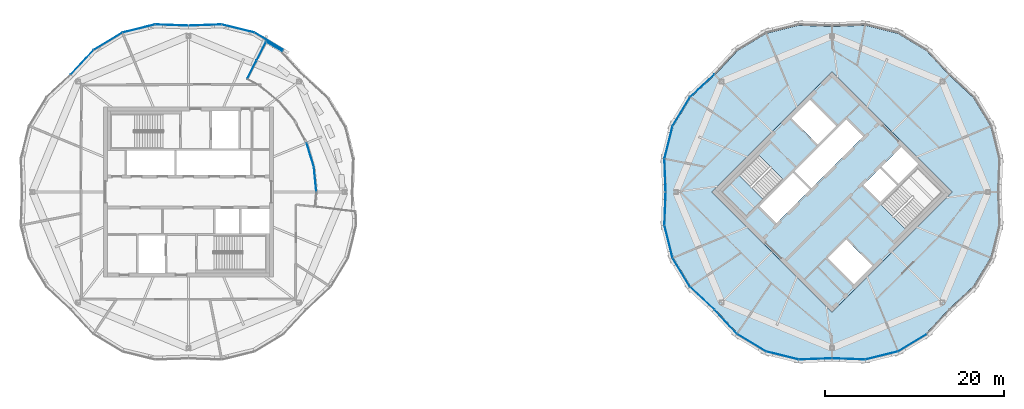
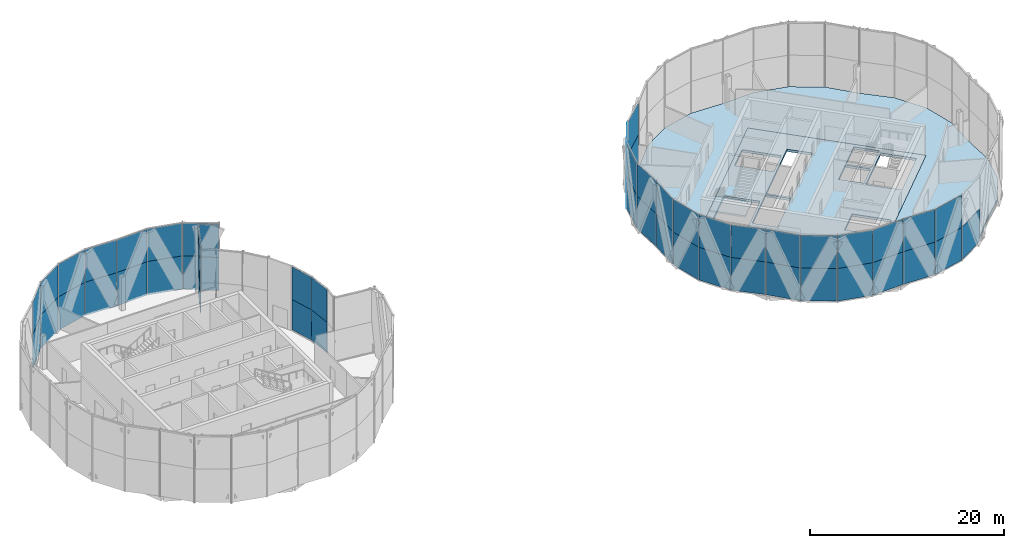
# One storey, part 14 of 24: 53 plates, 3 slabs, 10 elements without a shape of their own.
"""IFC4 building model written with IfcOpenShell, lengths in metres."""

from ifc_helpers import new_model, si_unit, direction, frame, origin, origin_2d, place, context, subcontext, project, spatial, polyline, rectangle, outline, extrude, material, layer, layer_set, type_object, element, aggregate, save


model = new_model("IFC4")

# Units and contexts
model_context = context("Model", 3, precision=1e-05, world=origin(), true_north=direction((0.0, 1.0)))
body_context = subcontext(model_context, "Body", "Model", "MODEL_VIEW")
ifc_project = project(units=[si_unit("LENGTHUNIT", "METRE"), si_unit("AREAUNIT", "SQUARE_METRE"), si_unit("VOLUMEUNIT", "CUBIC_METRE"), si_unit("PLANEANGLEUNIT", "RADIAN"), si_unit("MASSUNIT", "GRAM", prefix="KILO")], contexts=[model_context])

# Site, building, storey
site_placement = place(None, origin())
site = spatial("IfcSite", under=ifc_project, at=site_placement, CompositionType="ELEMENT")
building_placement = place(site_placement, origin())
building = spatial("IfcBuilding", under=site, at=building_placement, Name="Ogive Gate Towers", CompositionType="ELEMENT")
storey_placement = place(building_placement, frame((0.0, 0.0, 277.199951171875)))
storey = spatial("IfcBuildingStorey", under=building, at=storey_placement, Name="L65", CompositionType="ELEMENT", Elevation=277.199951171875)

# Slabs
ifc_material_1 = material(Name="Concrete C40/50", Category="concrete")
ifc_layer_1 = layer(ifc_material_1, 0.300048828125)
ifc_layer_set_1 = layer_set([ifc_layer_1], Name="Core slab C40/50 300 mm")
slab_type_1 = type_object("IfcSlabType", Name="Core slab C40/50 300 mm", PredefinedType="FLOOR", material=ifc_layer_set_1)
slab_1_placement = place(storey_placement, frame((0.0, 0.0, -0.300048828125)))
element("IfcSlab", 1, at=slab_1_placement, inside=storey, type_object=slab_type_1, Name="T2 L65 core slab", PredefinedType="FLOOR", context=body_context, shape_type="SweptSolid", body=[
    extrude(outline(polyline([(36.0, -13.43505859375), (22.56494140625, 0.0), (36.0, 13.43505859375), (49.43505859375, 0.0), (36.0, -13.43505859375)]), holes=[polyline([(29.777587890625, -3.500244140625), (33.525146484375, 0.24755859375), (31.615966796875, 2.15673828125), (27.868408203125, -1.591064453125), (29.777587890625, -3.500244140625)]), polyline([(31.792724609375, 2.33349609375), (33.701904296875, 0.42431640625), (39.500244140625, 6.222412109375), (37.591064453125, 8.131591796875), (31.792724609375, 2.33349609375)]), polyline([(41.3740234375, 2.651611328125), (39.500244140625, 0.77783203125), (41.409423828125, -1.13134765625), (43.283203125, 0.742431640625), (41.3740234375, 2.651611328125)]), polyline([(45.669677734375, 3.12890625), (43.760498046875, 5.0380859375), (41.55078125, 2.828369140625), (43.4599609375, 0.919189453125), (45.669677734375, 3.12890625)]), polyline([(34.408935546875, 5.30322265625), (36.4951171875, 7.389404296875), (33.542724609375, 10.34130859375), (31.456787109375, 8.255615234375), (34.408935546875, 5.30322265625)]), polyline([(35.5048828125, -7.389404296875), (38.457275390625, -10.34130859375), (40.543212890625, -8.255615234375), (37.591064453125, -5.30322265625), (35.5048828125, -7.389404296875)]), polyline([(26.40087890625, -2.70458984375), (30.512939453125, 1.406982421875), (27.80810546875, 4.11181640625), (23.6962890625, 0.0), (26.40087890625, -2.70458984375)]), polyline([(48.3037109375, 0.0), (45.59912109375, 2.70458984375), (41.487060546875, -1.406982421875), (44.19189453125, -4.11181640625), (48.3037109375, 0.0)])]), origin(), (0.0, 0.0, 1.0), 0.300048828125),
])
ifc_material_2 = material(Name="Concrete C35/45", Category="concrete")
ifc_layer_2 = layer(ifc_material_2, 0.300048828125)
ifc_layer_set_2 = layer_set([ifc_layer_2], Name="Floor slab 300")
slab_type_2 = type_object("IfcSlabType", Name="Floor slab 300", PredefinedType="FLOOR", material=ifc_layer_set_2)
slab_2_placement = place(storey_placement, frame((0.0, 0.0, -0.300048828125)))
element("IfcSlab", 2, at=slab_2_placement, inside=storey, type_object=slab_type_2, Name="T2/L65/SSL001", PredefinedType="FLOOR", context=body_context, shape_type="SweptSolid", body=[
    extrude(outline(polyline([(54.644775390625, -3.708740234375), (54.510009765625, 0.0), (54.644775390625, 3.708740234375), (53.747802734375, 7.351318359375), (51.80615234375, 10.561279296875), (49.088623046875, 13.088623046875), (46.561279296875, 15.80615234375), (43.351318359375, 17.747802734375), (39.708740234375, 18.644775390625), (36.0, 18.510009765625), (32.291259765625, 18.644775390625), (28.648681640625, 17.747802734375), (25.438720703125, 15.80615234375), (22.911376953125, 13.088623046875), (20.19384765625, 10.561279296875), (18.252197265625, 7.351318359375), (17.355224609375, 3.708740234375), (17.489990234375, 0.0), (17.355224609375, -3.708740234375), (18.252197265625, -7.351318359375), (20.19384765625, -10.561279296875), (22.911376953125, -13.088623046875), (25.438720703125, -15.80615234375), (28.648681640625, -17.747802734375), (32.291259765625, -18.644775390625), (36.0, -18.510009765625), (39.708740234375, -18.644775390625), (43.351318359375, -17.747802734375), (46.561279296875, -15.80615234375), (49.088623046875, -13.088623046875), (51.80615234375, -10.561279296875), (53.747802734375, -7.351318359375), (54.644775390625, -3.708740234375)]), holes=[polyline([(49.43505859375, 0.0), (36.0, -13.43505859375), (22.56494140625, 0.0), (36.0, 13.43505859375), (49.43505859375, 0.0)])]), origin(), (0.0, 0.0, 1.0), 0.300048828125),
])

# Curtain wall, plates
ifc_material_3 = material(Name="Pale metal aluminium", Category="aluminium")
curtain_wall_type_1 = type_object("IfcCurtainWallType", Name="Sky garden glazing", PredefinedType="NOTDEFINED", material=ifc_material_3)
curtain_wall_1_placement = place(storey_placement, origin())
curtain_wall_1 = element("IfcCurtainWall", 3, at=curtain_wall_1_placement, inside=storey, type_object=curtain_wall_type_1, Name="CW4 T1 ECW01b", PredefinedType="NOTDEFINED")
ifc_material_4 = material(Name="Clear glass", Category="glass")
ifc_layer_3 = layer(ifc_material_4, 0.028076171875)
ifc_layer_set_3 = layer_set([ifc_layer_3], Name="Sky garden glazing glass panel")
plate_type_1 = type_object("IfcPlateType", Name="Sky garden glazing glass panel", PredefinedType="CURTAIN_PANEL", material=ifc_layer_set_3)
plate_1_placement = place(storey_placement, frame((-22.3720703125, 4.1357421875, 0.09619140625), z_axis=(0.0, 0.0, 1.0), x_axis=(0.290267975451, -0.95694540201, 0.0)))
plate_1 = element("IfcPlate", 4, at=plate_1_placement, type_object=plate_type_1, Name="CW4 glass panel", PredefinedType="CURTAIN_PANEL", context=body_context, shape_type="SweptSolid", body=[
    extrude(rectangle(XDim=2.758056640625, YDim=0.028076171875, at=origin_2d()), origin(), (0.0, 0.0, 1.0), 3.803955078125),
])
plate_2_placement = place(storey_placement, frame((-22.3720703125, 4.1357421875, 3.900146484375), z_axis=(0.0, 0.0, 1.0), x_axis=(0.290267975451, -0.95694540201, 0.0)))
plate_2 = element("IfcPlate", 5, at=plate_2_placement, type_object=plate_type_1, Name="CW4 glass panel", PredefinedType="CURTAIN_PANEL", context=body_context, shape_type="SweptSolid", body=[
    extrude(rectangle(XDim=2.758056640625, YDim=0.028076171875, at=origin_2d()), origin(), (0.0, 0.0, 1.0), 4.10400390625),
])
plate_3_placement = place(storey_placement, frame((-21.826904296875, 1.394287109375, 0.09619140625), z_axis=(0.0, 0.0, 1.0), x_axis=(0.098034509565, -0.995183015799, 0.0)))
plate_3 = element("IfcPlate", 6, at=plate_3_placement, type_object=plate_type_1, Name="CW4 glass panel", PredefinedType="CURTAIN_PANEL", context=body_context, shape_type="SweptSolid", body=[
    extrude(rectangle(XDim=2.7578125, YDim=0.028076171875, at=origin_2d()), origin(), (0.0, 0.0, 1.0), 3.803955078125),
])
plate_4_placement = place(storey_placement, frame((-21.826904296875, 1.394287109375, 3.900146484375), z_axis=(0.0, 0.0, 1.0), x_axis=(0.098034509565, -0.995183015799, 0.0)))
plate_4 = element("IfcPlate", 7, at=plate_4_placement, type_object=plate_type_1, Name="CW4 glass panel", PredefinedType="CURTAIN_PANEL", context=body_context, shape_type="SweptSolid", body=[
    extrude(rectangle(XDim=2.7578125, YDim=0.028076171875, at=origin_2d()), origin(), (0.0, 0.0, 1.0), 4.10400390625),
])
aggregate(curtain_wall_1, [plate_1, plate_2, plate_3, plate_4])

curtain_wall_2_placement = place(storey_placement, origin())
curtain_wall_2 = element("IfcCurtainWall", 8, at=curtain_wall_2_placement, inside=storey, type_object=curtain_wall_type_1, Name="CW4 T1 ECW02", PredefinedType="NOTDEFINED")
plate_5_placement = place(storey_placement, frame((-28.908935546875, 13.696533203125, 0.09619140625), z_axis=(0.0, 0.0, 1.0), x_axis=(-0.453974948673, -0.891014447682, 0.0)))
plate_5 = element("IfcPlate", 9, at=plate_5_placement, type_object=plate_type_1, Name="CW4 glass panel", PredefinedType="CURTAIN_PANEL", context=body_context, shape_type="SweptSolid", body=[
    extrude(rectangle(XDim=2.285888671875, YDim=0.028076171875, at=origin_2d()), origin(), (0.0, 0.0, 1.0), 3.803955078125),
])
plate_6_placement = place(storey_placement, frame((-28.908935546875, 13.696533203125, 3.900146484375), z_axis=(0.0, 0.0, 1.0), x_axis=(-0.453974948673, -0.891014447682, 0.0)))
plate_6 = element("IfcPlate", 10, at=plate_6_placement, type_object=plate_type_1, Name="CW4 glass panel", PredefinedType="CURTAIN_PANEL", context=body_context, shape_type="SweptSolid", body=[
    extrude(rectangle(XDim=2.285888671875, YDim=0.028076171875, at=origin_2d()), origin(), (0.0, 0.0, 1.0), 4.10400390625),
])
aggregate(curtain_wall_2, [plate_5, plate_6])

# Stair, slab
stair_type = type_object("IfcStairType", Name="Escape stair 1840 wide", PredefinedType="HALF_TURN_STAIR", material=ifc_material_1)
stair_placement = place(storey_placement, origin())
stair = element("IfcStair", 11, at=stair_placement, inside=storey, type_object=stair_type, Name="L65 Escape stair 1", PredefinedType="HALF_TURN_STAIR")
ifc_layer_4 = layer(ifc_material_1, 0.199951171875)
ifc_layer_set_4 = layer_set([ifc_layer_4], Name="Stair landing 200 mm")
slab_type_3 = type_object("IfcSlabType", Name="Stair landing 200 mm", PredefinedType="LANDING", material=ifc_layer_set_4)
slab_3_placement = place(storey_placement, frame((0.0, 0.0, 1.900146484375)))
slab_3 = element("IfcSlab", 12, at=slab_3_placement, type_object=slab_type_3, Name="ST1 landing 1", PredefinedType="LANDING", context=body_context, shape_type="SweptSolid", body=[
    extrude(outline(polyline([(25.586181640625, 1.8896484375), (23.6962890625, 0.0), (26.401123046875, -2.70458984375), (28.290771484375, -0.81494140625), (25.586181640625, 1.8896484375)])), origin(), (0.0, 0.0, 1.0), 0.199951171875),
])
aggregate(stair, [slab_3])

# Curtain wall, plates
curtain_wall_type_2 = type_object("IfcCurtainWallType", Name="Tower unitised wall, high zone", PredefinedType="NOTDEFINED", material=ifc_material_3)
curtain_wall_3_placement = place(storey_placement, origin())
curtain_wall_3 = element("IfcCurtainWall", 13, at=curtain_wall_3_placement, inside=storey, type_object=curtain_wall_type_2, Name="CW2 T1 ECW04", PredefinedType="NOTDEFINED")
ifc_layer_5 = layer(ifc_material_4, 0.028076171875)
ifc_layer_set_5 = layer_set([ifc_layer_5], Name="Tower unitised wall, high zone glass panel")
plate_type_2 = type_object("IfcPlateType", Name="Tower unitised wall, high zone glass panel", PredefinedType="CURTAIN_PANEL", material=ifc_layer_set_5)
plate_7_placement = place(storey_placement, frame((-34.142578125, 18.677490234375, -0.2998046875), z_axis=(0.0, 0.0, 1.0), x_axis=(0.999341123963, 0.036294875066, 0.0)))
plate_7 = element("IfcPlate", 14, at=plate_7_placement, type_object=plate_type_2, Name="CW2 glass panel", PredefinedType="CURTAIN_PANEL", context=body_context, shape_type="SweptSolid", body=[
    extrude(rectangle(XDim=3.66357421875, YDim=0.028076171875, at=origin_2d()), origin(), (0.0, 0.0, 1.0), 4.199951171875),
])
plate_8_placement = place(storey_placement, frame((-34.142578125, 18.677490234375, 3.900146484375), z_axis=(0.0, 0.0, 1.0), x_axis=(0.999341123963, 0.036294875066, 0.0)))
plate_8 = element("IfcPlate", 15, at=plate_8_placement, type_object=plate_type_2, Name="CW2 glass panel", PredefinedType="CURTAIN_PANEL", context=body_context, shape_type="SweptSolid", body=[
    extrude(rectangle(XDim=3.66357421875, YDim=0.028076171875, at=origin_2d()), origin(), (0.0, 0.0, 1.0), 4.10400390625),
])
plate_9_placement = place(storey_placement, frame((-30.445556640625, 18.293212890625, -0.2998046875), z_axis=(0.0, 0.0, 1.0), x_axis=(0.970992560328, -0.239109698229, 0.0)))
plate_9 = element("IfcPlate", 16, at=plate_9_placement, type_object=plate_type_2, Name="CW2 glass panel", PredefinedType="CURTAIN_PANEL", context=body_context, shape_type="SweptSolid", body=[
    extrude(rectangle(XDim=3.71875, YDim=0.028076171875, at=origin_2d()), origin(), (0.0, 0.0, 1.0), 4.199951171875),
])
plate_10_placement = place(storey_placement, frame((-30.445556640625, 18.293212890625, 3.900146484375), z_axis=(0.0, 0.0, 1.0), x_axis=(0.970992560328, -0.239109698229, 0.0)))
plate_10 = element("IfcPlate", 17, at=plate_10_placement, type_object=plate_type_2, Name="CW2 glass panel", PredefinedType="CURTAIN_PANEL", context=body_context, shape_type="SweptSolid", body=[
    extrude(rectangle(XDim=3.71875, YDim=0.028076171875, at=origin_2d()), origin(), (0.0, 0.0, 1.0), 4.10400390625),
])
plate_11_placement = place(storey_placement, frame((-26.99658203125, 16.865478515625, -0.2998046875), z_axis=(0.0, 0.0, 1.0), x_axis=(0.855662480408, -0.517534269031, 0.0)))
plate_11 = element("IfcPlate", 18, at=plate_11_placement, type_object=plate_type_2, Name="CW2 glass panel", PredefinedType="CURTAIN_PANEL", context=body_context, shape_type="SweptSolid", body=[
    extrude(rectangle(XDim=3.70849609375, YDim=0.028076171875, at=origin_2d()), origin(), (0.0, 0.0, 1.0), 4.199951171875),
])
plate_12_placement = place(storey_placement, frame((-26.99658203125, 16.865478515625, 3.900146484375), z_axis=(0.0, 0.0, 1.0), x_axis=(0.855662480408, -0.517534269031, 0.0)))
plate_12 = element("IfcPlate", 19, at=plate_12_placement, type_object=plate_type_2, Name="CW2 glass panel", PredefinedType="CURTAIN_PANEL", context=body_context, shape_type="SweptSolid", body=[
    extrude(rectangle(XDim=3.70849609375, YDim=0.028076171875, at=origin_2d()), origin(), (0.0, 0.0, 1.0), 4.10400390625),
])
aggregate(curtain_wall_3, [plate_7, plate_8, plate_9, plate_10, plate_11, plate_12])

curtain_wall_4_placement = place(storey_placement, origin())
curtain_wall_4 = element("IfcCurtainWall", 20, at=curtain_wall_4_placement, inside=storey, type_object=curtain_wall_type_2, Name="CW2 T1 ECW04b", PredefinedType="NOTDEFINED")
plate_13_placement = place(storey_placement, frame((-26.3955078125, 16.26806640625, -0.2998046875), z_axis=(0.0, 0.0, 1.0), x_axis=(-0.855671512955, 0.517519334825, 0.0)))
plate_13 = element("IfcPlate", 21, at=plate_13_placement, type_object=plate_type_2, Name="CW2 glass panel", PredefinedType="CURTAIN_PANEL", context=body_context, shape_type="SweptSolid", body=[
    extrude(rectangle(XDim=2.0615234375, YDim=0.028076171875, at=origin_2d()), origin(), (0.0, 0.0, 1.0), 4.199951171875),
])
plate_14_placement = place(storey_placement, frame((-26.3955078125, 16.26806640625, 3.900146484375), z_axis=(0.0, 0.0, 1.0), x_axis=(-0.855671512955, 0.517519334825, 0.0)))
plate_14 = element("IfcPlate", 22, at=plate_14_placement, type_object=plate_type_2, Name="CW2 glass panel", PredefinedType="CURTAIN_PANEL", context=body_context, shape_type="SweptSolid", body=[
    extrude(rectangle(XDim=2.0615234375, YDim=0.028076171875, at=origin_2d()), origin(), (0.0, 0.0, 1.0), 4.10400390625),
])
plate_15_placement = place(storey_placement, frame((-27.8515625, 15.77197265625, -0.2998046875), z_axis=(0.0, 0.0, 1.0), x_axis=(-0.454006050668, -0.890998600424, 0.0)))
plate_15 = element("IfcPlate", 23, at=plate_15_placement, type_object=plate_type_2, Name="CW2 glass panel", PredefinedType="CURTAIN_PANEL", context=body_context, shape_type="SweptSolid", body=[
    extrude(rectangle(XDim=2.2744140625, YDim=0.028076171875, at=origin_2d()), origin(), (0.0, 0.0, 1.0), 4.199951171875),
])
plate_16_placement = place(storey_placement, frame((-27.8515625, 15.77197265625, 3.900146484375), z_axis=(0.0, 0.0, 1.0), x_axis=(-0.454006050668, -0.890998600424, 0.0)))
plate_16 = element("IfcPlate", 24, at=plate_16_placement, type_object=plate_type_2, Name="CW2 glass panel", PredefinedType="CURTAIN_PANEL", context=body_context, shape_type="SweptSolid", body=[
    extrude(rectangle(XDim=2.2744140625, YDim=0.028076171875, at=origin_2d()), origin(), (0.0, 0.0, 1.0), 4.10400390625),
])
aggregate(curtain_wall_4, [plate_13, plate_14, plate_15, plate_16])

curtain_wall_5_placement = place(storey_placement, origin())
curtain_wall_5 = element("IfcCurtainWall", 25, at=curtain_wall_5_placement, inside=storey, type_object=curtain_wall_type_2, Name="CW2 T1 ECW05", PredefinedType="NOTDEFINED")
plate_17_placement = place(storey_placement, frame((-47.8935546875, 14.5205078125, -0.2998046875), z_axis=(0.0, 0.0, 1.0), x_axis=(0.680963751951, 0.732317122925, 0.0)))
plate_17 = element("IfcPlate", 26, at=plate_17_placement, type_object=plate_type_2, Name="CW2 glass panel", PredefinedType="CURTAIN_PANEL", context=body_context, shape_type="SweptSolid", body=[
    extrude(rectangle(XDim=3.66357421875, YDim=0.028076171875, at=origin_2d()), origin(), (0.0, 0.0, 1.0), 4.199951171875),
])
plate_18_placement = place(storey_placement, frame((-47.8935546875, 14.5205078125, 3.900146484375), z_axis=(0.0, 0.0, 1.0), x_axis=(0.680963751951, 0.732317122925, 0.0)))
plate_18 = element("IfcPlate", 27, at=plate_18_placement, type_object=plate_type_2, Name="CW2 glass panel", PredefinedType="CURTAIN_PANEL", context=body_context, shape_type="SweptSolid", body=[
    extrude(rectangle(XDim=3.66357421875, YDim=0.028076171875, at=origin_2d()), origin(), (0.0, 0.0, 1.0), 4.10400390625),
])
plate_19_placement = place(storey_placement, frame((-45.0078125, 16.86279296875, -0.2998046875), z_axis=(0.0, 0.0, 1.0), x_axis=(0.855671512955, 0.517519334825, 0.0)))
plate_19 = element("IfcPlate", 28, at=plate_19_placement, type_object=plate_type_2, Name="CW2 glass panel", PredefinedType="CURTAIN_PANEL", context=body_context, shape_type="SweptSolid", body=[
    extrude(rectangle(XDim=3.718505859375, YDim=0.028076171875, at=origin_2d()), origin(), (0.0, 0.0, 1.0), 4.199951171875),
])
plate_20_placement = place(storey_placement, frame((-45.0078125, 16.86279296875, 3.900146484375), z_axis=(0.0, 0.0, 1.0), x_axis=(0.855671512955, 0.517519334825, 0.0)))
plate_20 = element("IfcPlate", 29, at=plate_20_placement, type_object=plate_type_2, Name="CW2 glass panel", PredefinedType="CURTAIN_PANEL", context=body_context, shape_type="SweptSolid", body=[
    extrude(rectangle(XDim=3.718505859375, YDim=0.028076171875, at=origin_2d()), origin(), (0.0, 0.0, 1.0), 4.10400390625),
])
plate_21_placement = place(storey_placement, frame((-41.554443359375, 18.293212890625, -0.2998046875), z_axis=(0.0, 0.0, 1.0), x_axis=(0.970992560328, 0.239109698229, 0.0)))
plate_21 = element("IfcPlate", 30, at=plate_21_placement, type_object=plate_type_2, Name="CW2 glass panel", PredefinedType="CURTAIN_PANEL", context=body_context, shape_type="SweptSolid", body=[
    extrude(rectangle(XDim=3.71875, YDim=0.028076171875, at=origin_2d()), origin(), (0.0, 0.0, 1.0), 4.199951171875),
])
plate_22_placement = place(storey_placement, frame((-41.554443359375, 18.293212890625, 3.900146484375), z_axis=(0.0, 0.0, 1.0), x_axis=(0.970992560328, 0.239109698229, 0.0)))
plate_22 = element("IfcPlate", 31, at=plate_22_placement, type_object=plate_type_2, Name="CW2 glass panel", PredefinedType="CURTAIN_PANEL", context=body_context, shape_type="SweptSolid", body=[
    extrude(rectangle(XDim=3.71875, YDim=0.028076171875, at=origin_2d()), origin(), (0.0, 0.0, 1.0), 4.10400390625),
])
plate_23_placement = place(storey_placement, frame((-37.857421875, 18.677490234375, -0.2998046875), z_axis=(0.0, 0.0, 1.0), x_axis=(0.999341123963, -0.036294875066, 0.0)))
plate_23 = element("IfcPlate", 32, at=plate_23_placement, type_object=plate_type_2, Name="CW2 glass panel", PredefinedType="CURTAIN_PANEL", context=body_context, shape_type="SweptSolid", body=[
    extrude(rectangle(XDim=3.66357421875, YDim=0.028076171875, at=origin_2d()), origin(), (0.0, 0.0, 1.0), 4.199951171875),
])
plate_24_placement = place(storey_placement, frame((-37.857421875, 18.677490234375, 3.900146484375), z_axis=(0.0, 0.0, 1.0), x_axis=(0.999341123963, -0.036294875066, 0.0)))
plate_24 = element("IfcPlate", 33, at=plate_24_placement, type_object=plate_type_2, Name="CW2 glass panel", PredefinedType="CURTAIN_PANEL", context=body_context, shape_type="SweptSolid", body=[
    extrude(rectangle(XDim=3.66357421875, YDim=0.028076171875, at=origin_2d()), origin(), (0.0, 0.0, 1.0), 4.10400390625),
])
aggregate(curtain_wall_5, [plate_17, plate_18, plate_19, plate_20, plate_21, plate_22, plate_23, plate_24])

curtain_wall_6_placement = place(storey_placement, origin())
curtain_wall_6 = element("IfcCurtainWall", 34, at=curtain_wall_6_placement, inside=storey, type_object=curtain_wall_type_2, Name="CW2 T2 ECW04", PredefinedType="NOTDEFINED")
plate_25_placement = place(storey_placement, frame((21.4794921875, 11.8935546875, -0.203857421875), z_axis=(0.0, 0.0, 1.0), x_axis=(-0.732317122925, -0.680963751951, 0.0)))
plate_25 = element("IfcPlate", 35, at=plate_25_placement, type_object=plate_type_2, Name="CW2 glass panel", PredefinedType="CURTAIN_PANEL", context=body_context, shape_type="SweptSolid", body=[
    extrude(rectangle(XDim=3.66357421875, YDim=0.028076171875, at=origin_2d()), origin(), (0.0, 0.0, 1.0), 4.10400390625),
])
plate_26_placement = place(storey_placement, frame((21.4794921875, 11.8935546875, 3.900146484375), z_axis=(0.0, 0.0, 1.0), x_axis=(-0.732317122925, -0.680963751951, 0.0)))
plate_26 = element("IfcPlate", 36, at=plate_26_placement, type_object=plate_type_2, Name="CW2 glass panel", PredefinedType="CURTAIN_PANEL", context=body_context, shape_type="SweptSolid", body=[
    extrude(rectangle(XDim=3.66357421875, YDim=0.028076171875, at=origin_2d()), origin(), (0.0, 0.0, 1.0), 4.10400390625),
])
plate_27_placement = place(storey_placement, frame((19.13720703125, 9.0078125, -0.203857421875), z_axis=(0.0, 0.0, 1.0), x_axis=(-0.517519334825, -0.855671512955, 0.0)))
plate_27 = element("IfcPlate", 37, at=plate_27_placement, type_object=plate_type_2, Name="CW2 glass panel", PredefinedType="CURTAIN_PANEL", context=body_context, shape_type="SweptSolid", body=[
    extrude(rectangle(XDim=3.718505859375, YDim=0.028076171875, at=origin_2d()), origin(), (0.0, 0.0, 1.0), 4.10400390625),
])
plate_28_placement = place(storey_placement, frame((19.13720703125, 9.0078125, 3.900146484375), z_axis=(0.0, 0.0, 1.0), x_axis=(-0.517519334825, -0.855671512955, 0.0)))
plate_28 = element("IfcPlate", 38, at=plate_28_placement, type_object=plate_type_2, Name="CW2 glass panel", PredefinedType="CURTAIN_PANEL", context=body_context, shape_type="SweptSolid", body=[
    extrude(rectangle(XDim=3.718505859375, YDim=0.028076171875, at=origin_2d()), origin(), (0.0, 0.0, 1.0), 4.10400390625),
])
plate_29_placement = place(storey_placement, frame((17.706787109375, 5.554443359375, -0.203857421875), z_axis=(0.0, 0.0, 1.0), x_axis=(-0.239109698229, -0.970992560328, 0.0)))
plate_29 = element("IfcPlate", 39, at=plate_29_placement, type_object=plate_type_2, Name="CW2 glass panel", PredefinedType="CURTAIN_PANEL", context=body_context, shape_type="SweptSolid", body=[
    extrude(rectangle(XDim=3.71875, YDim=0.028076171875, at=origin_2d()), origin(), (0.0, 0.0, 1.0), 4.10400390625),
])
plate_30_placement = place(storey_placement, frame((17.706787109375, 5.554443359375, 3.900146484375), z_axis=(0.0, 0.0, 1.0), x_axis=(-0.239109698229, -0.970992560328, 0.0)))
plate_30 = element("IfcPlate", 40, at=plate_30_placement, type_object=plate_type_2, Name="CW2 glass panel", PredefinedType="CURTAIN_PANEL", context=body_context, shape_type="SweptSolid", body=[
    extrude(rectangle(XDim=3.71875, YDim=0.028076171875, at=origin_2d()), origin(), (0.0, 0.0, 1.0), 4.10400390625),
])
plate_31_placement = place(storey_placement, frame((17.322509765625, 1.857421875, -0.203857421875), z_axis=(0.0, 0.0, 1.0), x_axis=(0.036294875066, -0.999341123963, 0.0)))
plate_31 = element("IfcPlate", 41, at=plate_31_placement, type_object=plate_type_2, Name="CW2 glass panel", PredefinedType="CURTAIN_PANEL", context=body_context, shape_type="SweptSolid", body=[
    extrude(rectangle(XDim=3.66357421875, YDim=0.028076171875, at=origin_2d()), origin(), (0.0, 0.0, 1.0), 4.10400390625),
])
plate_32_placement = place(storey_placement, frame((17.322509765625, 1.857421875, 3.900146484375), z_axis=(0.0, 0.0, 1.0), x_axis=(0.036294875066, -0.999341123963, 0.0)))
plate_32 = element("IfcPlate", 42, at=plate_32_placement, type_object=plate_type_2, Name="CW2 glass panel", PredefinedType="CURTAIN_PANEL", context=body_context, shape_type="SweptSolid", body=[
    extrude(rectangle(XDim=3.66357421875, YDim=0.028076171875, at=origin_2d()), origin(), (0.0, 0.0, 1.0), 4.10400390625),
])
aggregate(curtain_wall_6, [plate_25, plate_26, plate_27, plate_28, plate_29, plate_30, plate_31, plate_32])

curtain_wall_7_placement = place(storey_placement, origin())
curtain_wall_7 = element("IfcCurtainWall", 43, at=curtain_wall_7_placement, inside=storey, type_object=curtain_wall_type_2, Name="CW2 T2 ECW05", PredefinedType="NOTDEFINED")
plate_33_placement = place(storey_placement, frame((17.322509765625, -1.857421875, -0.203857421875), z_axis=(0.0, 0.0, 1.0), x_axis=(-0.036294875066, -0.999341123963, 0.0)))
plate_33 = element("IfcPlate", 44, at=plate_33_placement, type_object=plate_type_2, Name="CW2 glass panel", PredefinedType="CURTAIN_PANEL", context=body_context, shape_type="SweptSolid", body=[
    extrude(rectangle(XDim=3.66357421875, YDim=0.028076171875, at=origin_2d()), origin(), (0.0, 0.0, 1.0), 4.10400390625),
])
plate_34_placement = place(storey_placement, frame((17.322509765625, -1.857421875, 3.900146484375), z_axis=(0.0, 0.0, 1.0), x_axis=(-0.036294875066, -0.999341123963, 0.0)))
plate_34 = element("IfcPlate", 45, at=plate_34_placement, type_object=plate_type_2, Name="CW2 glass panel", PredefinedType="CURTAIN_PANEL", context=body_context, shape_type="SweptSolid", body=[
    extrude(rectangle(XDim=3.66357421875, YDim=0.028076171875, at=origin_2d()), origin(), (0.0, 0.0, 1.0), 4.10400390625),
])
plate_35_placement = place(storey_placement, frame((17.706787109375, -5.554443359375, -0.203857421875), z_axis=(0.0, 0.0, 1.0), x_axis=(0.239109698229, -0.970992560328, 0.0)))
plate_35 = element("IfcPlate", 46, at=plate_35_placement, type_object=plate_type_2, Name="CW2 glass panel", PredefinedType="CURTAIN_PANEL", context=body_context, shape_type="SweptSolid", body=[
    extrude(rectangle(XDim=3.71875, YDim=0.028076171875, at=origin_2d()), origin(), (0.0, 0.0, 1.0), 4.10400390625),
])
plate_36_placement = place(storey_placement, frame((17.706787109375, -5.554443359375, 3.900146484375), z_axis=(0.0, 0.0, 1.0), x_axis=(0.239109698229, -0.970992560328, 0.0)))
plate_36 = element("IfcPlate", 47, at=plate_36_placement, type_object=plate_type_2, Name="CW2 glass panel", PredefinedType="CURTAIN_PANEL", context=body_context, shape_type="SweptSolid", body=[
    extrude(rectangle(XDim=3.71875, YDim=0.028076171875, at=origin_2d()), origin(), (0.0, 0.0, 1.0), 4.10400390625),
])
plate_37_placement = place(storey_placement, frame((19.13720703125, -9.0078125, -0.203857421875), z_axis=(0.0, 0.0, 1.0), x_axis=(0.517519334825, -0.855671512955, 0.0)))
plate_37 = element("IfcPlate", 48, at=plate_37_placement, type_object=plate_type_2, Name="CW2 glass panel", PredefinedType="CURTAIN_PANEL", context=body_context, shape_type="SweptSolid", body=[
    extrude(rectangle(XDim=3.718505859375, YDim=0.028076171875, at=origin_2d()), origin(), (0.0, 0.0, 1.0), 4.10400390625),
])
plate_38_placement = place(storey_placement, frame((19.13720703125, -9.0078125, 3.900146484375), z_axis=(0.0, 0.0, 1.0), x_axis=(0.517519334825, -0.855671512955, 0.0)))
plate_38 = element("IfcPlate", 49, at=plate_38_placement, type_object=plate_type_2, Name="CW2 glass panel", PredefinedType="CURTAIN_PANEL", context=body_context, shape_type="SweptSolid", body=[
    extrude(rectangle(XDim=3.718505859375, YDim=0.028076171875, at=origin_2d()), origin(), (0.0, 0.0, 1.0), 4.10400390625),
])
plate_39_placement = place(storey_placement, frame((21.4794921875, -11.8935546875, -0.203857421875), z_axis=(0.0, 0.0, 1.0), x_axis=(0.732317122925, -0.680963751951, 0.0)))
plate_39 = element("IfcPlate", 50, at=plate_39_placement, type_object=plate_type_2, Name="CW2 glass panel", PredefinedType="CURTAIN_PANEL", context=body_context, shape_type="SweptSolid", body=[
    extrude(rectangle(XDim=3.66357421875, YDim=0.028076171875, at=origin_2d()), origin(), (0.0, 0.0, 1.0), 4.10400390625),
])
plate_40_placement = place(storey_placement, frame((21.4794921875, -11.8935546875, 3.900146484375), z_axis=(0.0, 0.0, 1.0), x_axis=(0.732317122925, -0.680963751951, 0.0)))
plate_40 = element("IfcPlate", 51, at=plate_40_placement, type_object=plate_type_2, Name="CW2 glass panel", PredefinedType="CURTAIN_PANEL", context=body_context, shape_type="SweptSolid", body=[
    extrude(rectangle(XDim=3.66357421875, YDim=0.028076171875, at=origin_2d()), origin(), (0.0, 0.0, 1.0), 4.10400390625),
])
aggregate(curtain_wall_7, [plate_33, plate_34, plate_35, plate_36, plate_37, plate_38, plate_39, plate_40])

curtain_wall_8_placement = place(storey_placement, origin())
curtain_wall_8 = element("IfcCurtainWall", 52, at=curtain_wall_8_placement, inside=storey, type_object=curtain_wall_type_2, Name="CW2 T2 ECW06", PredefinedType="NOTDEFINED")
plate_41_placement = place(storey_placement, frame((24.1064453125, -14.5205078125, -0.203857421875), z_axis=(0.0, 0.0, 1.0), x_axis=(0.680963751951, -0.732317122925, 0.0)))
plate_41 = element("IfcPlate", 53, at=plate_41_placement, type_object=plate_type_2, Name="CW2 glass panel", PredefinedType="CURTAIN_PANEL", context=body_context, shape_type="SweptSolid", body=[
    extrude(rectangle(XDim=3.66357421875, YDim=0.028076171875, at=origin_2d()), origin(), (0.0, 0.0, 1.0), 4.10400390625),
])
plate_42_placement = place(storey_placement, frame((24.1064453125, -14.5205078125, 3.900146484375), z_axis=(0.0, 0.0, 1.0), x_axis=(0.680963751951, -0.732317122925, 0.0)))
plate_42 = element("IfcPlate", 54, at=plate_42_placement, type_object=plate_type_2, Name="CW2 glass panel", PredefinedType="CURTAIN_PANEL", context=body_context, shape_type="SweptSolid", body=[
    extrude(rectangle(XDim=3.66357421875, YDim=0.028076171875, at=origin_2d()), origin(), (0.0, 0.0, 1.0), 4.10400390625),
])
plate_43_placement = place(storey_placement, frame((26.9921875, -16.86279296875, -0.203857421875), z_axis=(0.0, 0.0, 1.0), x_axis=(0.855671512955, -0.517519334825, 0.0)))
plate_43 = element("IfcPlate", 55, at=plate_43_placement, type_object=plate_type_2, Name="CW2 glass panel", PredefinedType="CURTAIN_PANEL", context=body_context, shape_type="SweptSolid", body=[
    extrude(rectangle(XDim=3.718505859375, YDim=0.028076171875, at=origin_2d()), origin(), (0.0, 0.0, 1.0), 4.10400390625),
])
plate_44_placement = place(storey_placement, frame((26.9921875, -16.86279296875, 3.900146484375), z_axis=(0.0, 0.0, 1.0), x_axis=(0.855671512955, -0.517519334825, 0.0)))
plate_44 = element("IfcPlate", 56, at=plate_44_placement, type_object=plate_type_2, Name="CW2 glass panel", PredefinedType="CURTAIN_PANEL", context=body_context, shape_type="SweptSolid", body=[
    extrude(rectangle(XDim=3.718505859375, YDim=0.028076171875, at=origin_2d()), origin(), (0.0, 0.0, 1.0), 4.10400390625),
])
plate_45_placement = place(storey_placement, frame((30.445556640625, -18.293212890625, -0.203857421875), z_axis=(0.0, 0.0, 1.0), x_axis=(0.970992560328, -0.239109698229, 0.0)))
plate_45 = element("IfcPlate", 57, at=plate_45_placement, type_object=plate_type_2, Name="CW2 glass panel", PredefinedType="CURTAIN_PANEL", context=body_context, shape_type="SweptSolid", body=[
    extrude(rectangle(XDim=3.71875, YDim=0.028076171875, at=origin_2d()), origin(), (0.0, 0.0, 1.0), 4.10400390625),
])
plate_46_placement = place(storey_placement, frame((30.445556640625, -18.293212890625, 3.900146484375), z_axis=(0.0, 0.0, 1.0), x_axis=(0.970992560328, -0.239109698229, 0.0)))
plate_46 = element("IfcPlate", 58, at=plate_46_placement, type_object=plate_type_2, Name="CW2 glass panel", PredefinedType="CURTAIN_PANEL", context=body_context, shape_type="SweptSolid", body=[
    extrude(rectangle(XDim=3.71875, YDim=0.028076171875, at=origin_2d()), origin(), (0.0, 0.0, 1.0), 4.10400390625),
])
plate_47_placement = place(storey_placement, frame((34.142578125, -18.677490234375, -0.203857421875), z_axis=(0.0, 0.0, 1.0), x_axis=(0.999341123963, 0.036294875066, 0.0)))
plate_47 = element("IfcPlate", 59, at=plate_47_placement, type_object=plate_type_2, Name="CW2 glass panel", PredefinedType="CURTAIN_PANEL", context=body_context, shape_type="SweptSolid", body=[
    extrude(rectangle(XDim=3.66357421875, YDim=0.028076171875, at=origin_2d()), origin(), (0.0, 0.0, 1.0), 4.10400390625),
])
plate_48_placement = place(storey_placement, frame((34.142578125, -18.677490234375, 3.900146484375), z_axis=(0.0, 0.0, 1.0), x_axis=(0.999341123963, 0.036294875066, 0.0)))
plate_48 = element("IfcPlate", 60, at=plate_48_placement, type_object=plate_type_2, Name="CW2 glass panel", PredefinedType="CURTAIN_PANEL", context=body_context, shape_type="SweptSolid", body=[
    extrude(rectangle(XDim=3.66357421875, YDim=0.028076171875, at=origin_2d()), origin(), (0.0, 0.0, 1.0), 4.10400390625),
])
aggregate(curtain_wall_8, [plate_41, plate_42, plate_43, plate_44, plate_45, plate_46, plate_47, plate_48])

curtain_wall_9_placement = place(storey_placement, origin())
curtain_wall_9 = element("IfcCurtainWall", 61, at=curtain_wall_9_placement, inside=storey, type_object=curtain_wall_type_2, Name="CW2 T2 ECW07", PredefinedType="NOTDEFINED")
plate_49_placement = place(storey_placement, frame((37.857421875, -18.677490234375, -0.203857421875), z_axis=(0.0, 0.0, 1.0), x_axis=(0.999341123963, -0.036294875066, 0.0)))
plate_49 = element("IfcPlate", 62, at=plate_49_placement, type_object=plate_type_2, Name="CW2 glass panel", PredefinedType="CURTAIN_PANEL", context=body_context, shape_type="SweptSolid", body=[
    extrude(rectangle(XDim=3.66357421875, YDim=0.028076171875, at=origin_2d()), origin(), (0.0, 0.0, 1.0), 4.10400390625),
])
plate_50_placement = place(storey_placement, frame((37.857421875, -18.677490234375, 3.900146484375), z_axis=(0.0, 0.0, 1.0), x_axis=(0.999341123963, -0.036294875066, 0.0)))
plate_50 = element("IfcPlate", 63, at=plate_50_placement, type_object=plate_type_2, Name="CW2 glass panel", PredefinedType="CURTAIN_PANEL", context=body_context, shape_type="SweptSolid", body=[
    extrude(rectangle(XDim=3.66357421875, YDim=0.028076171875, at=origin_2d()), origin(), (0.0, 0.0, 1.0), 4.10400390625),
])
plate_51_placement = place(storey_placement, frame((41.554443359375, -18.293212890625, -0.203857421875), z_axis=(0.0, 0.0, 1.0), x_axis=(0.970992560328, 0.239109698229, 0.0)))
plate_51 = element("IfcPlate", 64, at=plate_51_placement, type_object=plate_type_2, Name="CW2 glass panel", PredefinedType="CURTAIN_PANEL", context=body_context, shape_type="SweptSolid", body=[
    extrude(rectangle(XDim=3.71875, YDim=0.028076171875, at=origin_2d()), origin(), (0.0, 0.0, 1.0), 4.10400390625),
])
plate_52_placement = place(storey_placement, frame((41.554443359375, -18.293212890625, 3.900146484375), z_axis=(0.0, 0.0, 1.0), x_axis=(0.970992560328, 0.239109698229, 0.0)))
plate_52 = element("IfcPlate", 65, at=plate_52_placement, type_object=plate_type_2, Name="CW2 glass panel", PredefinedType="CURTAIN_PANEL", context=body_context, shape_type="SweptSolid", body=[
    extrude(rectangle(XDim=3.71875, YDim=0.028076171875, at=origin_2d()), origin(), (0.0, 0.0, 1.0), 4.10400390625),
])
plate_53_placement = place(storey_placement, frame((45.0078125, -16.86279296875, -0.203857421875), z_axis=(0.0, 0.0, 1.0), x_axis=(0.855671512955, 0.517519334825, 0.0)))
plate_53 = element("IfcPlate", 66, at=plate_53_placement, type_object=plate_type_2, Name="CW2 glass panel", PredefinedType="CURTAIN_PANEL", context=body_context, shape_type="SweptSolid", body=[
    extrude(rectangle(XDim=3.718505859375, YDim=0.028076171875, at=origin_2d()), origin(), (0.0, 0.0, 1.0), 4.10400390625),
])
aggregate(curtain_wall_9, [plate_49, plate_50, plate_51, plate_52, plate_53])

save(model, "model.ifc")
